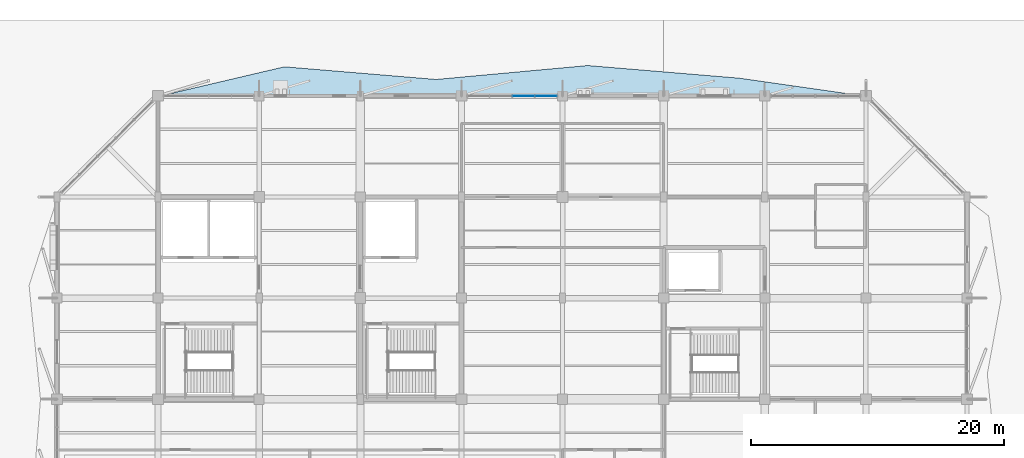
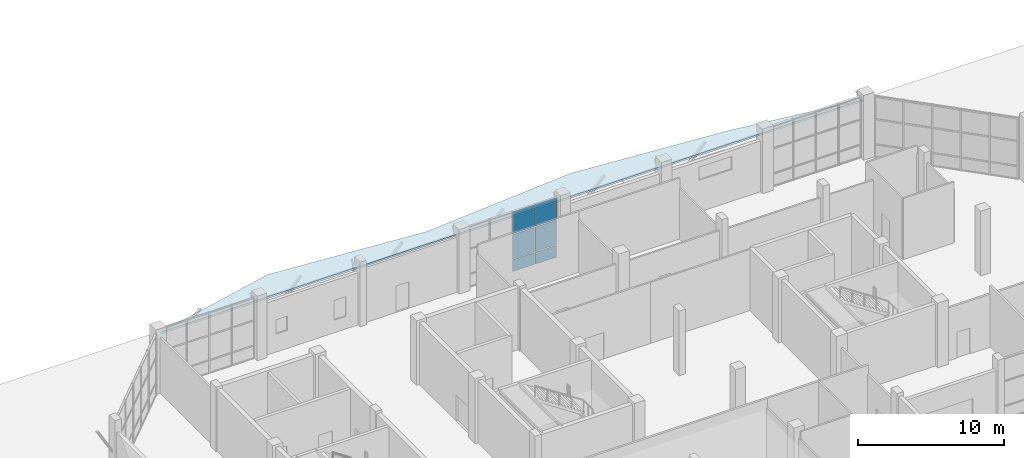
# One storey, part 80 of 123: 6 plates, 1 slab, 1 element without a shape of its own.
"""IFC4 building model written with IfcOpenShell, lengths in metres."""

from ifc_helpers import new_model, si_unit, direction, frame, origin, origin_2d, place, context, subcontext, project, spatial, polyline, rectangle, outline, extrude, material, layer, layer_set, type_object, element, aggregate, save


model = new_model("IFC4")

# Units and contexts
model_context = context("Model", 3, precision=1e-05, world=origin(), true_north=direction((0.0, 1.0)))
body_context = subcontext(model_context, "Body", "Model", "MODEL_VIEW")
ifc_project = project(units=[si_unit("LENGTHUNIT", "METRE"), si_unit("AREAUNIT", "SQUARE_METRE"), si_unit("VOLUMEUNIT", "CUBIC_METRE"), si_unit("PLANEANGLEUNIT", "RADIAN"), si_unit("MASSUNIT", "GRAM", prefix="KILO")], contexts=[model_context])

# Site, building, storey
site_placement = place(None, origin())
site = spatial("IfcSite", under=ifc_project, at=site_placement, CompositionType="ELEMENT")
building_placement = place(site_placement, origin())
building = spatial("IfcBuilding", under=site, at=building_placement, Name="Tenunan Teduh Sports Hall", CompositionType="ELEMENT")
storey_placement = place(building_placement, origin())
storey = spatial("IfcBuildingStorey", under=building, at=storey_placement, Name="L00", CompositionType="ELEMENT", Elevation=0.0)

# Curtain wall, plates
ifc_material_1 = material(Name="Anodised aluminium", Category="aluminium")
curtain_wall_type = type_object("IfcCurtainWallType", Name="CW-UNIT-1", PredefinedType="NOTDEFINED", material=ifc_material_1)
curtain_wall_placement = place(storey_placement, origin())
curtain_wall = element("IfcCurtainWall", 1, at=curtain_wall_placement, inside=storey, type_object=curtain_wall_type, Name="CW-CWM-200-L00-196", PredefinedType="NOTDEFINED")
ifc_material_2 = material(Name="Low-E laminated double glazing", Category="glass")
ifc_layer_1 = layer(ifc_material_2, 0.028076171875)
ifc_layer_set_1 = layer_set([ifc_layer_1], Name="Low-E laminated double glazing")
plate_type_1 = type_object("IfcPlateType", Name="CWP-GLZ-28", PredefinedType="CURTAIN_PANEL", material=ifc_layer_set_1)
plate_1_placement = place(storey_placement, frame((42.909423828125, 118.0, 1.134765625), z_axis=(0.0, 0.0, 1.0), x_axis=(1.0, 0.0, 0.0)))
plate_1 = element("IfcPlate", 2, at=plate_1_placement, type_object=plate_type_1, Name="CW-01 panel 3.2", PredefinedType="CURTAIN_PANEL", context=body_context, shape_type="SweptSolid", body=[
    extrude(rectangle(XDim=1.7236328125, YDim=0.028076171875, at=origin_2d()), origin(), (0.0, 0.0, 1.0), 2.030029296875),
])
plate_2_placement = place(storey_placement, frame((42.909423828125, 118.0, 3.235107421875), z_axis=(0.0, 0.0, 1.0), x_axis=(1.0, 0.0, 0.0)))
plate_2 = element("IfcPlate", 3, at=plate_2_placement, type_object=plate_type_1, Name="CW-01 panel 3.3", PredefinedType="CURTAIN_PANEL", context=body_context, shape_type="SweptSolid", body=[
    extrude(rectangle(XDim=1.7236328125, YDim=0.028076171875, at=origin_2d()), origin(), (0.0, 0.0, 1.0), 1.81494140625),
])
plate_3_placement = place(storey_placement, frame((44.685546875, 118.0, 1.134765625), z_axis=(0.0, 0.0, 1.0), x_axis=(1.0, 0.0, 0.0)))
plate_3 = element("IfcPlate", 4, at=plate_3_placement, type_object=plate_type_1, Name="CW-01 panel 4.2", PredefinedType="CURTAIN_PANEL", context=body_context, shape_type="SweptSolid", body=[
    extrude(rectangle(XDim=1.688720703125, YDim=0.028076171875, at=origin_2d()), origin(), (0.0, 0.0, 1.0), 2.030029296875),
])
plate_4_placement = place(storey_placement, frame((44.685546875, 118.0, 3.235107421875), z_axis=(0.0, 0.0, 1.0), x_axis=(1.0, 0.0, 0.0)))
plate_4 = element("IfcPlate", 5, at=plate_4_placement, type_object=plate_type_1, Name="CW-01 panel 4.3", PredefinedType="CURTAIN_PANEL", context=body_context, shape_type="SweptSolid", body=[
    extrude(rectangle(XDim=1.688720703125, YDim=0.028076171875, at=origin_2d()), origin(), (0.0, 0.0, 1.0), 1.81494140625),
])
ifc_material_3 = material(Name="Insulated aluminium spandrel panel", Category="aluminium")
ifc_layer_2 = layer(ifc_material_3, 0.044921875)
ifc_layer_set_2 = layer_set([ifc_layer_2], Name="Insulated aluminium spandrel panel")
plate_type_2 = type_object("IfcPlateType", Name="CWP-SPN-45", PredefinedType="CURTAIN_PANEL", material=ifc_layer_set_2)
plate_5_placement = place(storey_placement, frame((42.909423828125, 118.0, 0.06982421875), z_axis=(0.0, 0.0, 1.0), x_axis=(1.0, 0.0, 0.0)))
plate_5 = element("IfcPlate", 6, at=plate_5_placement, type_object=plate_type_2, Name="CW-01 panel 3.1", PredefinedType="CURTAIN_PANEL", context=body_context, shape_type="SweptSolid", body=[
    extrude(rectangle(XDim=1.7236328125, YDim=0.028076171875, at=origin_2d()), origin(), (0.0, 0.0, 1.0), 0.9951171875),
])
plate_6_placement = place(storey_placement, frame((44.685546875, 118.0, 0.06982421875), z_axis=(0.0, 0.0, 1.0), x_axis=(1.0, 0.0, 0.0)))
plate_6 = element("IfcPlate", 7, at=plate_6_placement, type_object=plate_type_2, Name="CW-01 panel 4.1", PredefinedType="CURTAIN_PANEL", context=body_context, shape_type="SweptSolid", body=[
    extrude(rectangle(XDim=1.688720703125, YDim=0.028076171875, at=origin_2d()), origin(), (0.0, 0.0, 1.0), 0.9951171875),
])
aggregate(curtain_wall, [plate_5, plate_1, plate_2, plate_6, plate_3, plate_4])

# Slab
ifc_material_4 = material(Name="Concrete C40/50", Category="concrete")
ifc_layer_3 = layer(ifc_material_4, 0.159912109375)
ifc_layer_set_3 = layer_set([ifc_layer_3], Name="Concrete C40/50")
slab_type = type_object("IfcSlabType", Name="SLB-ROOF-160", PredefinedType="ROOF", material=ifc_layer_set_3)
slab_placement = place(storey_placement, frame((0.0, 0.0, 4.590087890625)))
element("IfcSlab", 8, at=slab_placement, inside=storey, type_object=slab_type, Name="Window Head Sun-Shade Hood SHD-RIB-V5W-N-L00", PredefinedType="ROOF", context=body_context, shape_type="SweptSolid", body=[
    extrude(outline(polyline([(14.199951171875, 118.0), (24.0, 120.300048828125), (36.0, 119.300048828125), (48.0, 120.39990234375), (60.0, 119.39990234375), (69.800048828125, 118.0), (14.199951171875, 118.0)])), origin(), (0.0, 0.0, 1.0), 0.159912109375),
])

save(model, "model.ifc")
